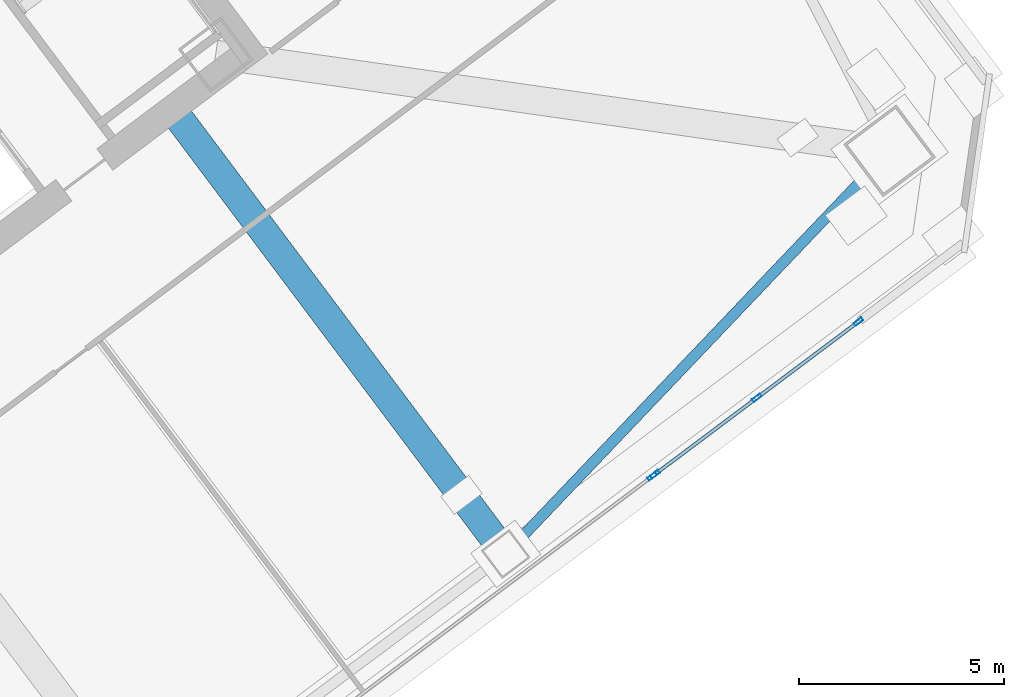
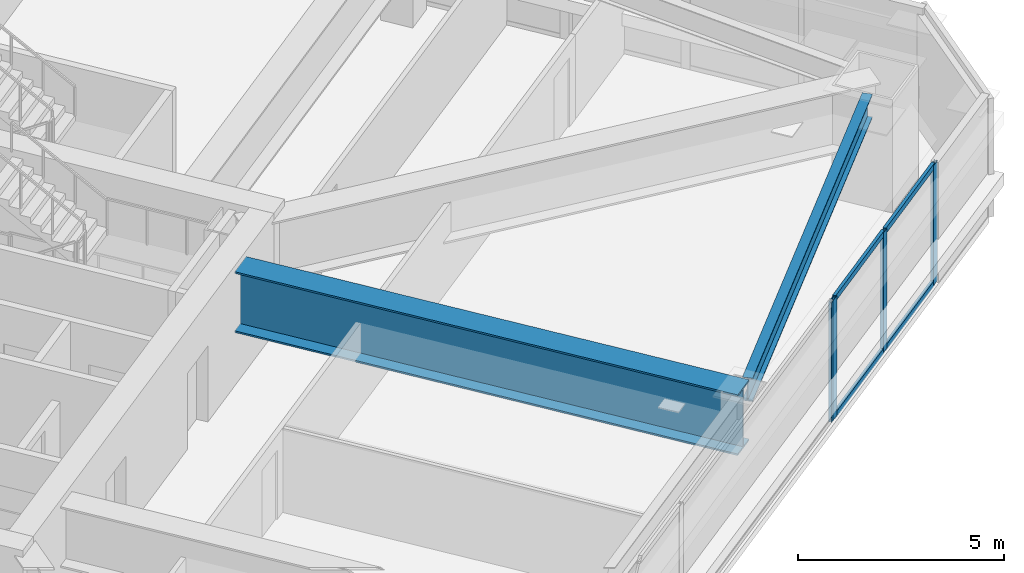
# One storey, part 27 of 48: 8 members, 2 beams, 2 elements without a shape of their own.
"""IFC4 building model written with IfcOpenShell, lengths in metres."""

from ifc_helpers import new_model, si_unit, direction, frame, origin, origin_2d, place, context, subcontext, project, spatial, hollow_rectangle, i_section, extrude, material, material_profile, profile_set, type_object, element, aggregate, save


model = new_model("IFC4")

# Units and contexts
model_context = context("Model", 3, precision=1e-05, world=origin(), true_north=direction((0.0, 1.0)))
body_context = subcontext(model_context, "Body", "Model", "MODEL_VIEW")
ifc_project = project(units=[si_unit("LENGTHUNIT", "METRE"), si_unit("AREAUNIT", "SQUARE_METRE"), si_unit("VOLUMEUNIT", "CUBIC_METRE"), si_unit("PLANEANGLEUNIT", "RADIAN"), si_unit("MASSUNIT", "GRAM", prefix="KILO")], contexts=[model_context])

# Site, building, storey
site_placement = place(None, origin())
site = spatial("IfcSite", under=ifc_project, at=site_placement, CompositionType="ELEMENT")
building_placement = place(site_placement, origin())
building = spatial("IfcBuilding", under=site, at=building_placement, Name="Tashvorn Skyway Center", CompositionType="ELEMENT")
storey_placement = place(building_placement, frame((0.0, 0.0, 63.64990234375)))
storey = spatial("IfcBuildingStorey", under=building, at=storey_placement, Name="L16", CompositionType="ELEMENT", Elevation=63.64990234375)

# Beams
ifc_material_1 = material(Name="Steel ASTM A572 Grade 50", Category="steel")
ifc_material_profile_1 = material_profile(ifc_material_1, i_section(OverallWidth=0.699951171875, OverallDepth=1.800048828125, WebThickness=0.031982421875, FlangeThickness=0.050048828125, at=origin_2d()), Name="PG1800x700")
ifc_profile_set_1 = profile_set([ifc_material_profile_1], Name="Steel ASTM A572 Grade 50")
beam_type_1 = type_object("IfcBeamType", Name="BM-BEAM-PG1800x700", PredefinedType="BEAM", material=ifc_profile_set_1)
beam_1_placement = place(storey_placement, frame((130.949951171875, 18.39990234375, 2.4501953125), z_axis=(-0.599988225359, 0.800008830845, 0.0), x_axis=(-0.800008830845, -0.599988225359, 0.0)))
element("IfcBeam", 1, at=beam_1_placement, inside=storey, type_object=beam_type_1, Name="Tower 2 L16 Setback Transfer Girder FC-S2", PredefinedType="BEAM", context=body_context, shape_type="SweptSolid", body=[
    extrude(i_section(OverallWidth=0.699951171875, OverallDepth=1.800048828125, WebThickness=0.031982421875, FlangeThickness=0.050048828125, at=origin_2d()), origin(), (0.0, 0.0, 1.0), 13.27001953125),
])
ifc_material_2 = material(Name="Steel ASTM A992 Grade 50", Category="steel")
ifc_material_profile_2 = material_profile(ifc_material_2, i_section(OverallWidth=0.256103515625, OverallDepth=0.693115234375, WebThickness=0.014404296875, FlangeThickness=0.023681640625, at=origin_2d()), Name="W27X114")
ifc_profile_set_2 = profile_set([ifc_material_profile_2], Name="Steel ASTM A992 Grade 50")
beam_type_2 = type_object("IfcBeamType", Name="BM-SPANDREL-W27X114", PredefinedType="SPANDREL", material=ifc_profile_set_2)
beam_2_placement = place(storey_placement, frame((131.23974609375, 18.7041015625, 3.003662109375), z_axis=(0.689589637236, 0.724200339835, 0.0), x_axis=(-0.724200339835, 0.689589637236, 0.0)))
element("IfcBeam", 2, at=beam_2_placement, inside=storey, type_object=beam_type_2, Name="Tower 2 L16 Spandrel Beam 03", PredefinedType="SPANDREL", context=body_context, shape_type="SweptSolid", body=[
    extrude(i_section(OverallWidth=0.256103515625, OverallDepth=0.693115234375, WebThickness=0.014404296875, FlangeThickness=0.023681640625, at=origin_2d()), origin(), (0.0, 0.0, 1.0), 12.37255859375),
])

# Curtain wall, members
ifc_material_3 = material(Name="Thermally broken bronze-anodized aluminium 6063-T6", Category="aluminium")
curtain_wall_type = type_object("IfcCurtainWallType", Name="CW-CW-Z1", PredefinedType="NOTDEFINED", material=ifc_material_3)
curtain_wall_1_placement = place(storey_placement, origin())
curtain_wall_1 = element("IfcCurtainWall", 3, at=curtain_wall_1_placement, inside=storey, type_object=curtain_wall_type, Name="Tower 2 L16 South Unitised Curtain Wall Glazing Group 1", PredefinedType="NOTDEFINED")
ifc_material_profile_3 = material_profile(ifc_material_3, hollow_rectangle(XDim=0.0849609375, YDim=0.239990234375, WallThickness=0.0048828125, at=origin_2d()), Name="ALU-MULL-85x240")
ifc_profile_set_3 = profile_set([ifc_material_profile_3], Name="Thermally broken bronze-anodized aluminium 6063-T6")
member_type_1 = type_object("IfcMemberType", Name="CWM-CW-Z1", PredefinedType="MULLION", material=ifc_profile_set_3)
member_1_placement = place(storey_placement, frame((139.560791015625, 24.070556640625, 0.0), z_axis=(0.0, 0.0, 1.0), x_axis=(0.599997457641, -0.800001906763, 0.0)))
member_1 = element("IfcMember", 4, at=member_1_placement, type_object=member_type_1, Name="CW-Z1 mullion 1", PredefinedType="MULLION", context=body_context, shape_type="SweptSolid", body=[
    extrude(hollow_rectangle(XDim=0.0849609375, YDim=0.239990234375, WallThickness=0.0048828125, at=origin_2d()), origin(), (0.0, 0.0, 1.0), 3.550048828125),
])
member_2_placement = place(storey_placement, frame((137.077392578125, 22.2080078125, 0.0), z_axis=(0.0, 0.0, 1.0), x_axis=(0.599997457641, -0.800001906763, 0.0)))
member_2 = element("IfcMember", 5, at=member_2_placement, type_object=member_type_1, Name="CW-Z1 mullion 2", PredefinedType="MULLION", context=body_context, shape_type="SweptSolid", body=[
    extrude(hollow_rectangle(XDim=0.0849609375, YDim=0.239990234375, WallThickness=0.0048828125, at=origin_2d()), origin(), (0.0, 0.0, 1.0), 3.550048828125),
])
member_3_placement = place(storey_placement, frame((134.593994140625, 20.345458984375, 0.0), z_axis=(0.0, 0.0, 1.0), x_axis=(0.599997457641, -0.800001906763, 0.0)))
member_3 = element("IfcMember", 6, at=member_3_placement, type_object=member_type_1, Name="CW-Z1 mullion 3", PredefinedType="MULLION", context=body_context, shape_type="SweptSolid", body=[
    extrude(hollow_rectangle(XDim=0.0849609375, YDim=0.239990234375, WallThickness=0.0048828125, at=origin_2d()), origin(), (0.0, 0.0, 1.0), 3.550048828125),
])

# Curtain wall, member
curtain_wall_2_placement = place(storey_placement, origin())
curtain_wall_2 = element("IfcCurtainWall", 7, at=curtain_wall_2_placement, inside=storey, type_object=curtain_wall_type, Name="Tower 2 L16 South Unitised Curtain Wall Glazing Group 2", PredefinedType="NOTDEFINED")
member_4_placement = place(storey_placement, frame((134.52587890625, 20.29443359375, 0.0), z_axis=(0.0, 0.0, 1.0), x_axis=(0.600000000002, -0.799999999998, 0.0)))
member_4 = element("IfcMember", 8, at=member_4_placement, type_object=member_type_1, Name="CW-Z1 mullion 1", PredefinedType="MULLION", context=body_context, shape_type="SweptSolid", body=[
    extrude(hollow_rectangle(XDim=0.0849609375, YDim=0.239990234375, WallThickness=0.0048828125, at=origin_2d()), origin(), (0.0, 0.0, 1.0), 3.550048828125),
])
aggregate(curtain_wall_2, [member_4])

# Member
ifc_material_profile_4 = material_profile(ifc_material_3, hollow_rectangle(XDim=0.0849609375, YDim=0.1650390625, WallThickness=0.0048828125, at=origin_2d()), Name="ALU-TRAN-85x165")
ifc_profile_set_4 = profile_set([ifc_material_profile_4], Name="Thermally broken bronze-anodized aluminium 6063-T6")
member_type_2 = type_object("IfcMemberType", Name="CWT-CW-Z1", PredefinedType="USERDEFINED", material=ifc_profile_set_4)
member_5_placement = place(storey_placement, frame((139.526611328125, 24.044921875, 0.04248046875), z_axis=(-0.799990296182, -0.600012938206, 0.0), x_axis=(0.600012938206, -0.799990296182, 0.0)))
member_5 = element("IfcMember", 9, at=member_5_placement, type_object=member_type_2, Name="CW-Z1 transom 1.1", ObjectType="TRANSOM", PredefinedType="USERDEFINED", context=body_context, shape_type="SweptSolid", body=[
    extrude(hollow_rectangle(XDim=0.0849609375, YDim=0.1650390625, WallThickness=0.0048828125, at=origin_2d()), origin(), (0.0, 0.0, 1.0), 3.01904296875),
])

member_6_placement = place(storey_placement, frame((139.526611328125, 24.044921875, 3.507568359375), z_axis=(-0.799990296182, -0.600012938206, 0.0), x_axis=(0.600012938206, -0.799990296182, 0.0)))
member_6 = element("IfcMember", 10, at=member_6_placement, type_object=member_type_2, Name="CW-Z1 transom 1.2", ObjectType="TRANSOM", PredefinedType="USERDEFINED", context=body_context, shape_type="SweptSolid", body=[
    extrude(hollow_rectangle(XDim=0.0849609375, YDim=0.1650390625, WallThickness=0.0048828125, at=origin_2d()), origin(), (0.0, 0.0, 1.0), 3.01904296875),
])

member_7_placement = place(storey_placement, frame((137.04345703125, 22.1826171875, 0.04248046875), z_axis=(-0.800019405753, -0.599974124791, 0.0), x_axis=(0.599974124791, -0.800019405753, 0.0)))
member_7 = element("IfcMember", 11, at=member_7_placement, type_object=member_type_2, Name="CW-Z1 transom 2.1", ObjectType="TRANSOM", PredefinedType="USERDEFINED", context=body_context, shape_type="SweptSolid", body=[
    extrude(hollow_rectangle(XDim=0.0849609375, YDim=0.1650390625, WallThickness=0.0048828125, at=origin_2d()), origin(), (0.0, 0.0, 1.0), 3.019287109375),
])

member_8_placement = place(storey_placement, frame((137.04345703125, 22.1826171875, 3.507568359375), z_axis=(-0.800019405753, -0.599974124791, 0.0), x_axis=(0.599974124791, -0.800019405753, 0.0)))
member_8 = element("IfcMember", 12, at=member_8_placement, type_object=member_type_2, Name="CW-Z1 transom 2.2", ObjectType="TRANSOM", PredefinedType="USERDEFINED", context=body_context, shape_type="SweptSolid", body=[
    extrude(hollow_rectangle(XDim=0.0849609375, YDim=0.1650390625, WallThickness=0.0048828125, at=origin_2d()), origin(), (0.0, 0.0, 1.0), 3.019287109375),
])

aggregate(curtain_wall_1, [member_1, member_2, member_3, member_5, member_6, member_7, member_8])

save(model, "model.ifc")
